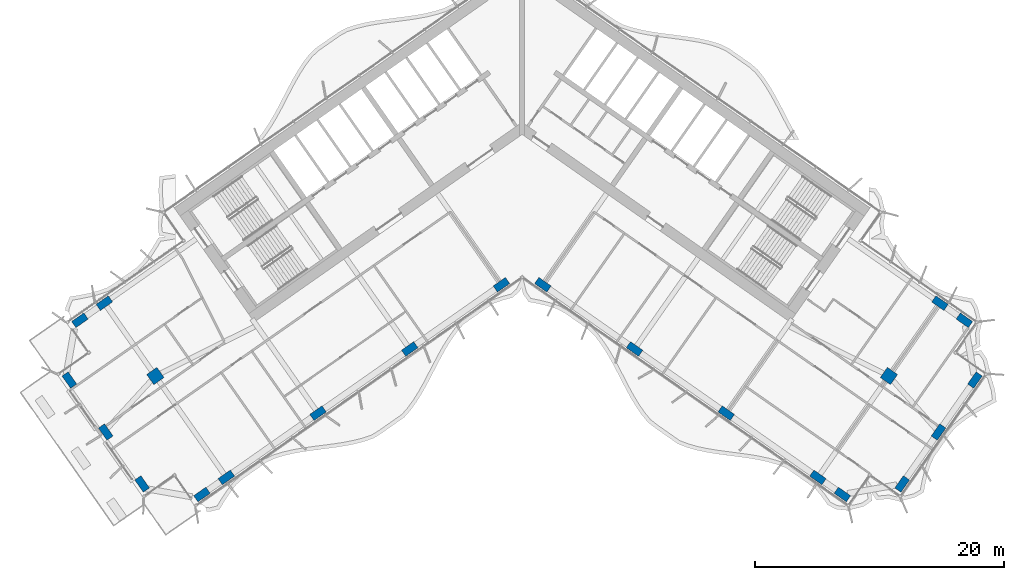
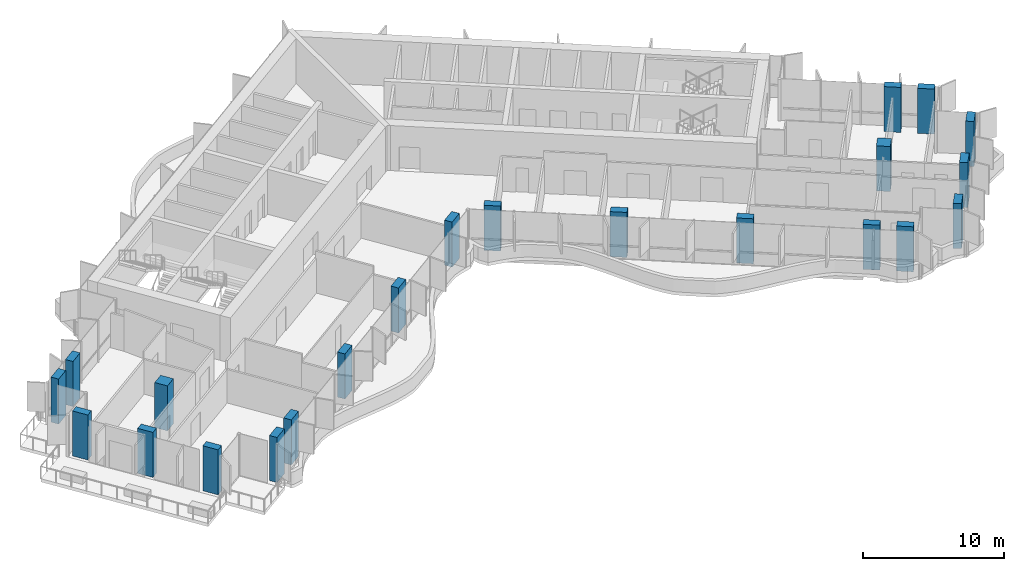
# One storey, part 1 of 24: 22 columns.
"""IFC4 building model written with IfcOpenShell, lengths in metres."""

from ifc_helpers import new_model, si_unit, direction, frame, origin, origin_2d, place, context, subcontext, project, spatial, rectangle, extrude, material, material_profile, profile_set, type_object, element, save


model = new_model("IFC4")

# Units and contexts
model_context = context("Model", 3, precision=1e-05, world=origin(), true_north=direction((0.0, 1.0)))
body_context = subcontext(model_context, "Body", "Model", "MODEL_VIEW")
ifc_project = project(units=[si_unit("LENGTHUNIT", "METRE"), si_unit("AREAUNIT", "SQUARE_METRE"), si_unit("VOLUMEUNIT", "CUBIC_METRE"), si_unit("PLANEANGLEUNIT", "RADIAN"), si_unit("MASSUNIT", "GRAM", prefix="KILO")], contexts=[model_context])

# Site, building, storey
site_placement = place(None, origin())
site = spatial("IfcSite", under=ifc_project, at=site_placement, CompositionType="ELEMENT")
building_placement = place(site_placement, origin())
building = spatial("IfcBuilding", under=site, at=building_placement, Name="Tel Ilan Convention Tower", CompositionType="ELEMENT")
storey_placement = place(building_placement, frame((0.0, 0.0, 167.10009765625)))
storey = spatial("IfcBuildingStorey", under=building, at=storey_placement, Name="L38", CompositionType="ELEMENT", Elevation=167.10009765625)

# Columns
ifc_material_1 = material(Name="Concrete C50/60", Category="concrete")
ifc_material_profile_1 = material_profile(ifc_material_1, rectangle(XDim=1.0, YDim=1.0, at=origin_2d()), Name="RC 1000x1000")
ifc_profile_set_1 = profile_set([ifc_material_profile_1], Name="Concrete C50/60")
column_type_1 = type_object("IfcColumnType", Name="Column RC 1000x1000 C50/60", PredefinedType="COLUMN", material=ifc_profile_set_1)
for number, where, z_axis, x_axis, name in (
    (1, (-29.489501953125, -20.648681640625, 0.0), (0.0, 0.0, 1.0), (-0.819152044289, -0.573576436351, 0.0), "L38 column W-M4"),
    (2, (29.489501953125, -20.648681640625, 0.0), (0.0, 0.0, 1.0), (0.819152044289, -0.573576436351, 0.0), "L38 column E-M4"),
):
    element("IfcColumn", number, at=place(storey_placement, frame(where, z_axis=z_axis, x_axis=x_axis)), inside=storey, type_object=column_type_1, Name=name, PredefinedType="COLUMN", context=body_context, shape_type="SweptSolid", body=[
        extrude(rectangle(XDim=1.0, YDim=1.0, at=origin_2d()), origin(), (0.0, 0.0, 1.0), 3.89990234375),
    ])
ifc_material_2 = material(Name="Concrete C50/60", Category="concrete")
ifc_material_profile_2 = material_profile(ifc_material_2, rectangle(XDim=1.199951171875, YDim=0.60009765625, at=origin_2d()), Name="RC 600x1200")
ifc_profile_set_2 = profile_set([ifc_material_profile_2], Name="Concrete C50/60")
column_type_2 = type_object("IfcColumnType", Name="Column RC 600x1200 C50/60", PredefinedType="COLUMN", material=ifc_profile_set_2)
for number, where, z_axis, x_axis, name in (
    (3, (-1.665283203125, -13.312744140625, 0.0), (0.0, 0.0, 1.0), (-0.819152044289, -0.573576436351, 0.0), "L38 column W-F1"),
    (4, (-9.03759765625, -18.474853515625, 0.0), (0.0, 0.0, 1.0), (-0.819152044289, -0.573576436351, 0.0), "L38 column W-F2"),
    (5, (-16.409912109375, -23.63720703125, 0.0), (0.0, 0.0, 1.0), (-0.819152044289, -0.573576436351, 0.0), "L38 column W-F3"),
    (6, (-23.782470703125, -28.79931640625, 0.0), (0.0, 0.0, 1.0), (-0.819152044289, -0.573576436351, 0.0), "L38 column W-F4"),
    (7, (-25.748291015625, -30.17578125, 0.0), (0.0, 0.0, 1.0), (-0.819152044289, -0.573576436351, 0.0), "L38 column W-FC"),
    (8, (-33.590576171875, -14.791748046875, 0.0), (0.0, 0.0, 1.0), (-0.819152044289, -0.573576436351, 0.0), "L38 column W-B4"),
    (9, (-35.556396484375, -16.16845703125, 0.0), (0.0, 0.0, 1.0), (-0.819152044289, -0.573576436351, 0.0), "L38 column W-BC"),
    (10, (-30.55322265625, -29.32861328125, 0.0), (0.0, 0.0, 1.0), (-0.573576436351, 0.819152044289, 0.0), "L38 column W-E1"),
    (11, (-33.478515625, -25.15087890625, 0.0), (0.0, 0.0, 1.0), (-0.573576436351, 0.819152044289, 0.0), "L38 column W-E2"),
    (12, (-36.40380859375, -20.973388671875, 0.0), (0.0, 0.0, 1.0), (-0.573576436351, 0.819152044289, 0.0), "L38 column W-E3"),
    (13, (1.665283203125, -13.312744140625, 0.0), (0.0, 0.0, 1.0), (0.819152044289, -0.573576436351, 0.0), "L38 column E-F1"),
    (14, (9.03759765625, -18.474853515625, 0.0), (0.0, 0.0, 1.0), (0.819152044289, -0.573576436351, 0.0), "L38 column E-F2"),
    (15, (16.409912109375, -23.63720703125, 0.0), (0.0, 0.0, 1.0), (0.819152044289, -0.573576436351, 0.0), "L38 column E-F3"),
    (16, (23.782470703125, -28.79931640625, 0.0), (0.0, 0.0, 1.0), (0.819152044289, -0.573576436351, 0.0), "L38 column E-F4"),
    (17, (25.748291015625, -30.17578125, 0.0), (0.0, 0.0, 1.0), (0.819152044289, -0.573576436351, 0.0), "L38 column E-FC"),
    (18, (33.590576171875, -14.791748046875, 0.0), (0.0, 0.0, 1.0), (0.819152044289, -0.573576436351, 0.0), "L38 column E-B4"),
    (19, (35.556396484375, -16.16845703125, 0.0), (0.0, 0.0, 1.0), (0.819152044289, -0.573576436351, 0.0), "L38 column E-BC"),
    (20, (30.55322265625, -29.32861328125, 0.0), (0.0, 0.0, 1.0), (0.573576436351, 0.819152044289, 0.0), "L38 column E-E1"),
    (21, (33.478515625, -25.15087890625, 0.0), (0.0, 0.0, 1.0), (0.573576436351, 0.819152044289, 0.0), "L38 column E-E2"),
    (22, (36.40380859375, -20.973388671875, 0.0), (0.0, 0.0, 1.0), (0.573576436351, 0.819152044289, 0.0), "L38 column E-E3"),
):
    element("IfcColumn", number, at=place(storey_placement, frame(where, z_axis=z_axis, x_axis=x_axis)), inside=storey, type_object=column_type_2, Name=name, PredefinedType="COLUMN", context=body_context, shape_type="SweptSolid", body=[
        extrude(rectangle(XDim=1.199951171875, YDim=0.60009765625, at=origin_2d()), origin(), (0.0, 0.0, 1.0), 3.89990234375),
    ])

save(model, "model.ifc")
